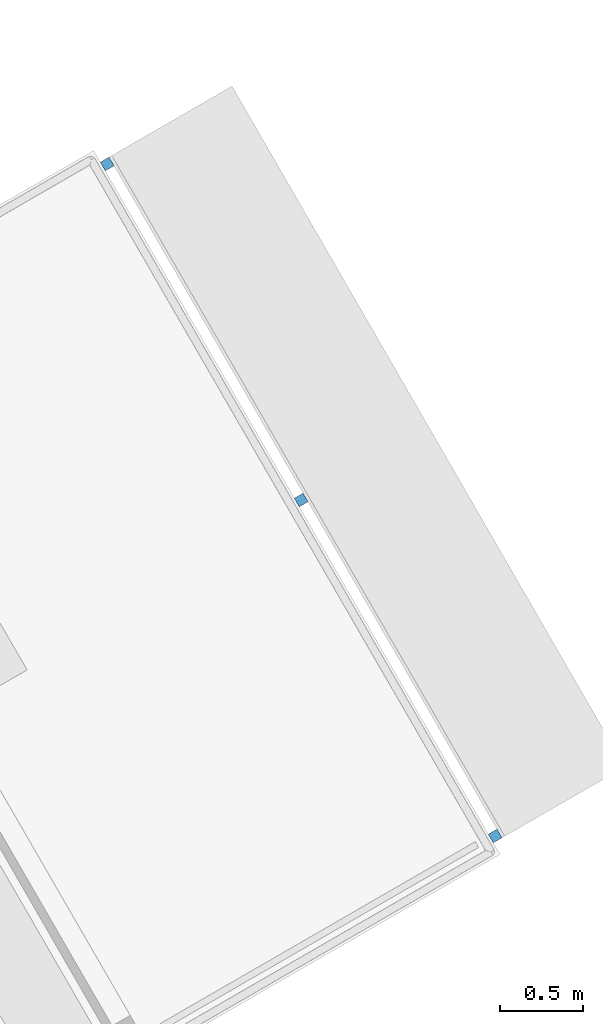
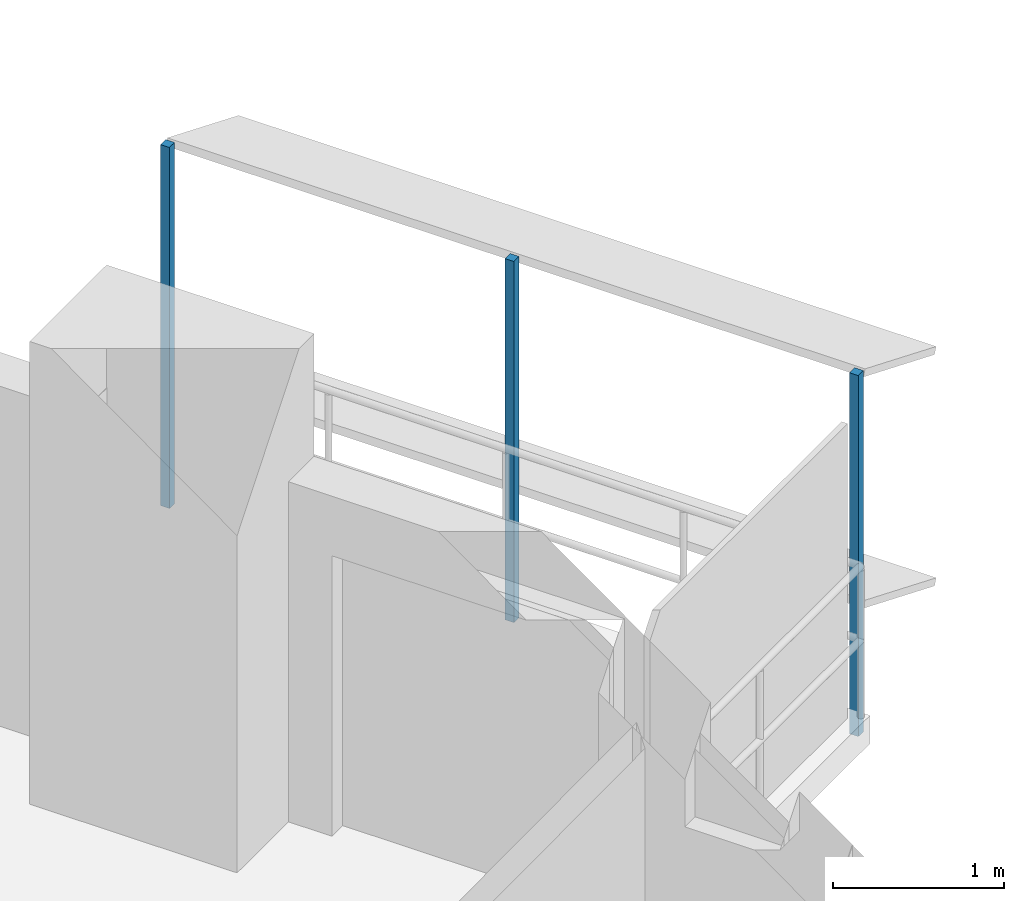
# One storey, part 10 of 13: 3 discrete accessories.
"""IFC4 building model written with IfcOpenShell, lengths in metres."""

from ifc_helpers import new_model, si_unit, direction, frame, origin, origin_2d, place, context, subcontext, project, spatial, rectangle, extrude, material, type_object, element, save


model = new_model("IFC4")

# Units and contexts
model_context = context("Model", 3, precision=1e-05, world=origin(), true_north=direction((0.0, 1.0)))
body_context = subcontext(model_context, "Body", "Model", "MODEL_VIEW")
ifc_project = project(units=[si_unit("LENGTHUNIT", "METRE"), si_unit("AREAUNIT", "SQUARE_METRE"), si_unit("VOLUMEUNIT", "CUBIC_METRE"), si_unit("PLANEANGLEUNIT", "RADIAN"), si_unit("MASSUNIT", "GRAM", prefix="KILO")], contexts=[model_context])

# Site, building, storey
site_placement = place(None, origin())
site = spatial("IfcSite", under=ifc_project, at=site_placement, CompositionType="ELEMENT")
building_placement = place(site_placement, origin())
building = spatial("IfcBuilding", under=site, at=building_placement, Name="Nakaniwa Court", CompositionType="ELEMENT")
storey_placement = place(building_placement, frame((0.0, 0.0, 81.0)))
storey = spatial("IfcBuildingStorey", under=building, at=storey_placement, Name="L20", CompositionType="ELEMENT", Elevation=81.0)

# Discrete accessories
ifc_material = material(Name="Black powder-coated steel bracket S275", Category="steel")
discrete_accessory_type = type_object("IfcDiscreteAccessoryType", Name="Black metal louvre bracket", PredefinedType="BRACKET", material=ifc_material)
for number, where, z_axis, x_axis, name in (
    (1, (104.280029296875, 90.8056640625, -0.22998046875), (0.0, 0.0, 1.0), (-0.499974304289, 0.866040238702, 0.0), "L20 louvre bracket 01 1"),
    (2, (103.118408203125, 92.817626953125, -0.22998046875), (0.0, 0.0, 1.0), (-0.499974304289, 0.866040238702, 0.0), "L20 louvre bracket 01 2"),
    (3, (101.956787109375, 94.829833984375, -0.22998046875), (0.0, 0.0, 1.0), (-0.499974304289, 0.866040238702, 0.0), "L20 louvre bracket 01 3"),
):
    element("IfcDiscreteAccessory", number, at=place(storey_placement, frame(where, z_axis=z_axis, x_axis=x_axis)), inside=storey, type_object=discrete_accessory_type, Name=name, PredefinedType="BRACKET", context=body_context, shape_type="SweptSolid", body=[
        extrude(rectangle(XDim=0.06005859375, YDim=0.06005859375, at=origin_2d()), origin(), (0.0, 0.0, 1.0), 2.5751953125),
    ])

save(model, "model.ifc")
